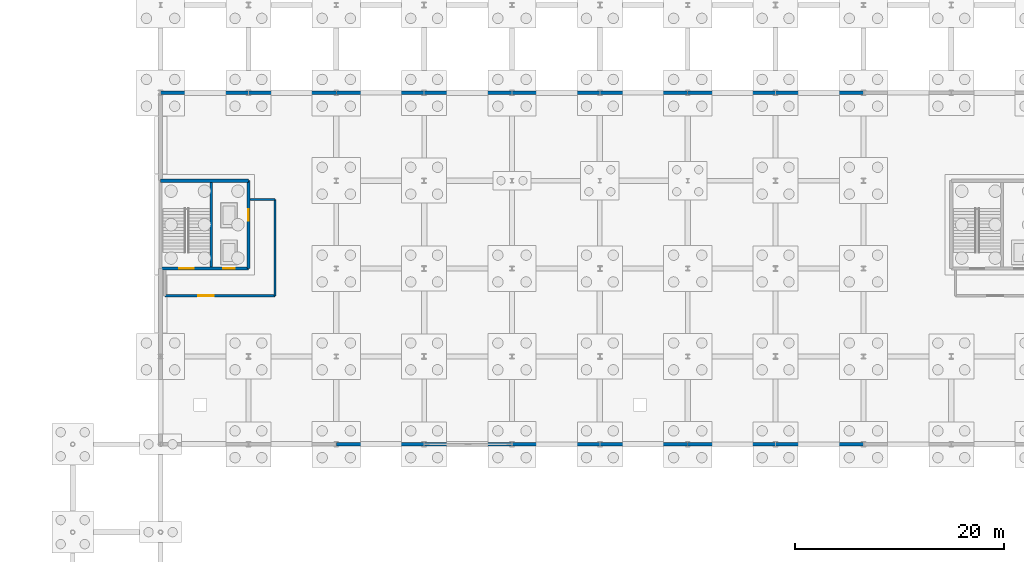
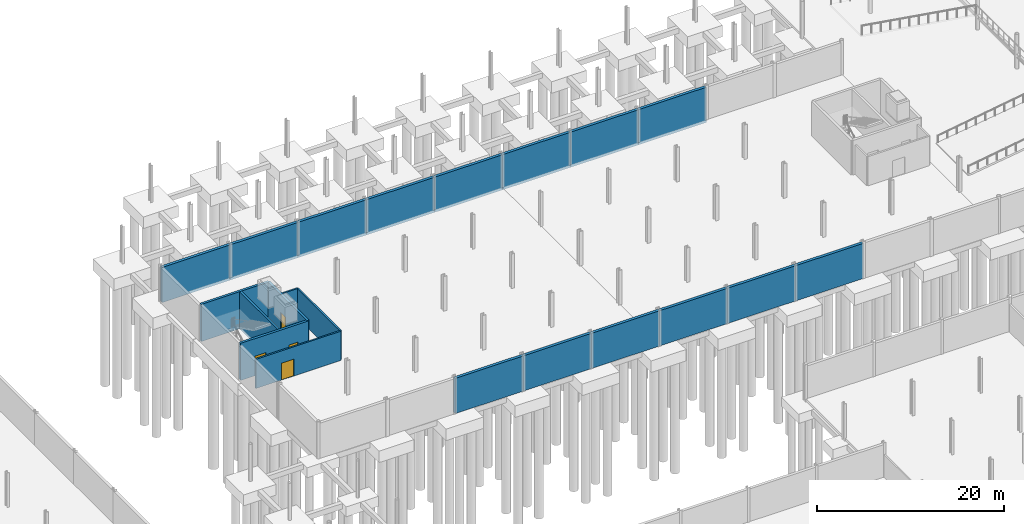
# One storey, part 36 of 51: 21 walls, 4 doors, 4 openings.
"""IFC4 building model written with IfcOpenShell, lengths in metres."""

import ifcopenshell
import ifcopenshell.guid

model = None  # the IFC model being written
_history = None  # IfcOwnerHistory: only IFC2X3 demands one
_inside = {}  # id of a spatial element -> (the spatial element, [elements in it])
_under = {}  # id of a project, library or spatial element -> (it, [spatial elements below it])
_declared = {}  # id of a project -> (the project, [libraries it declares])
_typed = {}  # id of a type object -> (the type object, [elements of that type])
_made_of = {}  # id of a material, layer set ... -> (it, [elements and type objects made of it])


def new_model(schema):
    """Start an empty IFC model of exactly this schema.

    Asked for "IFC4X3", IfcOpenShell would pick the latest addendum, in which some entities
    have other attributes; the version numbers below select the first issue.
    IFC2X3 requires an IfcOwnerHistory on every rooted entity: one is made here for all.
    """
    global model, _history
    if schema == "IFC4X3":
        model = ifcopenshell.file(schema_version=(4, 3, 0, 0))
    else:
        model = ifcopenshell.file(schema=schema)
    _inside.clear()
    _under.clear()
    _declared.clear()
    _typed.clear()
    _made_of.clear()
    _history = None
    if model.schema == "IFC2X3":
        org = make("IfcOrganization", Name="unknown")
        user = make(
            "IfcPersonAndOrganization",
            ThePerson=make("IfcPerson", FamilyName="unknown"),
            TheOrganization=org,
        )
        app = make(
            "IfcApplication",
            ApplicationDeveloper=org,
            Version="unknown",
            ApplicationFullName="unknown",
            ApplicationIdentifier="unknown",
        )
        _history = make(
            "IfcOwnerHistory",
            OwningUser=user,
            OwningApplication=app,
            ChangeAction="ADDED",
            CreationDate=0,
        )
    return model


def make(cls, **values):
    """One entity of the class cls with the attributes given. An attribute that is None is left unset."""
    return model.create_entity(
        cls, **{name: value for name, value in values.items() if value is not None}
    )


def rooted(cls, **values):
    """An entity with a GlobalId (a new one), such as an element, a storey or a relation."""
    return make(cls, GlobalId=ifcopenshell.guid.new(), OwnerHistory=_history, **values)


def si_unit(unit_type, name, prefix=None):
    """IfcSIUnit, for example si_unit("LENGTHUNIT", "METRE", prefix="MILLI")."""
    return make("IfcSIUnit", UnitType=unit_type, Prefix=prefix, Name=name)


def assignment(units):
    """IfcUnitAssignment: the units of a project."""
    return None if units is None else make("IfcUnitAssignment", Units=units)


def point(xyz):
    """IfcCartesianPoint."""
    return None if xyz is None else make("IfcCartesianPoint", Coordinates=xyz)


def direction(xyz):
    """IfcDirection."""
    return None if xyz is None else make("IfcDirection", DirectionRatios=xyz)


def frame(location, z_axis=None, x_axis=None):
    """IfcAxis2Placement3D, a coordinate frame: its origin and axes. An axis left out is left unset."""
    return make(
        "IfcAxis2Placement3D",
        Location=point(location),
        Axis=direction(z_axis),
        RefDirection=direction(x_axis),
    )


def frame_2d(location, x_axis=None):
    """IfcAxis2Placement2D, a coordinate frame in the plane: its origin and x axis."""
    return make(
        "IfcAxis2Placement2D", Location=point(location), RefDirection=direction(x_axis)
    )


def origin():
    """The frame at (0, 0, 0) with its axes left unset."""
    return frame((0.0, 0.0, 0.0))


def place(relative_to, where):
    """IfcLocalPlacement: puts the frame where relative to a parent placement (None: the world)."""
    return make(
        "IfcLocalPlacement", PlacementRelTo=relative_to, RelativePlacement=where
    )


def context(
    kind, dimensions, precision=None, world=None, true_north=None, identifier=None
):
    """IfcGeometricRepresentationContext, for example the 3D "Model" context."""
    return make(
        "IfcGeometricRepresentationContext",
        ContextIdentifier=identifier,
        ContextType=kind,
        CoordinateSpaceDimension=dimensions,
        Precision=precision,
        WorldCoordinateSystem=world,
        TrueNorth=true_north,
    )


def subcontext(parent, identifier, kind, view, scale=None):
    """IfcGeometricRepresentationSubContext, for example "Body" below "Model"."""
    return make(
        "IfcGeometricRepresentationSubContext",
        ContextIdentifier=identifier,
        ContextType=kind,
        ParentContext=parent,
        TargetScale=scale,
        TargetView=view,
    )


def project(units=None, contexts=None):
    """IfcProject with its units and contexts."""
    return rooted(
        "IfcProject",
        Name="project",
        RepresentationContexts=contexts,
        UnitsInContext=assignment(units),
    )


def spatial(cls, under=None, at=None, **own):
    """A site, building, storey or space (cls), placed at a placement, below another one or the project."""
    s = rooted(cls, ObjectPlacement=at, **own)
    if under is not None:
        _under.setdefault(under.id(), (under, []))[1].append(s)
    return s


def profile(cls, at=None, kind="AREA", **sizes):
    """A parametric profile (cls). Its sizes go by their IFC names, for example OverallWidth=200.0."""
    return make(cls, ProfileType=kind, Position=at, **sizes)


def rectangle(**sizes):
    """IfcRectangleProfileDef."""
    return profile("IfcRectangleProfileDef", **sizes)


def extrude(swept, where, along, depth):
    """IfcExtrudedAreaSolid: the profile swept, set in the frame where, extruded along a direction by depth."""
    return make(
        "IfcExtrudedAreaSolid",
        SweptArea=swept,
        Position=where,
        ExtrudedDirection=direction(along),
        Depth=depth,
    )


def shape(context_of_items, identifier, shape_type, items):
    """IfcShapeRepresentation: the items that make up one representation, for example the "Body"."""
    return make(
        "IfcShapeRepresentation",
        ContextOfItems=context_of_items,
        RepresentationIdentifier=identifier,
        RepresentationType=shape_type,
        Items=items,
    )


def material(Name=None, Category=None):
    """IfcMaterial."""
    return make("IfcMaterial", Name=Name, Category=Category)


def layer(
    of_material, thickness, ventilated=None, Name=None, Category=None, Priority=None
):
    """IfcMaterialLayer: one layer of a wall or slab, of a material (None: an air gap)."""
    return make(
        "IfcMaterialLayer",
        Material=of_material,
        LayerThickness=thickness,
        IsVentilated=ventilated,
        Name=Name,
        Category=Category,
        Priority=Priority,
    )


def layer_set(layers, Name=None):
    """IfcMaterialLayerSet."""
    return make("IfcMaterialLayerSet", MaterialLayers=layers, LayerSetName=Name)


def made_of(thing, what):
    """Note that an element or type object is made of a material, layer set ...; save() writes the relation."""
    if what is not None:
        _made_of.setdefault(what.id(), (what, []))[1].append(thing)
    return thing


def type_object(cls, material=None, **own):
    """A type object (cls), such as IfcWallType, which elements share."""
    return made_of(rooted(cls, **own), material)


def element(
    cls,
    number,
    at=None,
    inside=None,
    cuts=None,
    type_object=None,
    material=None,
    context=None,
    identifier="Body",
    shape_type=None,
    held_by="IfcProductDefinitionShape",
    body=None,
    shapes=None,
    **own,
):
    """One element of the class cls, such as IfcWall. Its Tag is "e" and its number.

    at: its placement. inside: the storey or other place that contains it. cuts: it is an
    opening in that element (IfcRelVoidsElement). A single representation is given by context,
    identifier, shape_type and body (its items); several are given by shapes. held_by: the class
    of the entity that holds the representations. save() writes the other relations.
    """
    e = rooted(cls, Tag="e%d" % number, ObjectPlacement=at, **own)
    if body is not None:
        shapes = [shape(context, identifier, shape_type, body)]
    if shapes is not None:
        e.Representation = make(held_by, Representations=shapes)
    if inside is not None:
        _inside.setdefault(inside.id(), (inside, []))[1].append(e)
    if cuts is not None:
        rooted(
            "IfcRelVoidsElement", RelatingBuildingElement=cuts, RelatedOpeningElement=e
        )
    if type_object is not None:
        _typed.setdefault(type_object.id(), (type_object, []))[1].append(e)
    return made_of(e, material)


def fill(opening, filler):
    """IfcRelFillsElement: the door or window that sits in an opening."""
    return rooted(
        "IfcRelFillsElement",
        RelatingOpeningElement=opening,
        RelatedBuildingElement=filler,
    )


def aggregate(whole, parts):
    """IfcRelAggregates: a whole, such as a stair, and the parts it consists of."""
    return rooted("IfcRelAggregates", RelatingObject=whole, RelatedObjects=parts)


def save(model, path):
    """Write the relations noted so far, then the file.

    IfcRelAggregates (storeys below a building ...), IfcRelContainedInSpatialStructure (elements
    in a storey), IfcRelDefinesByType, IfcRelAssociatesMaterial and IfcRelDeclares: one each for
    every whole, place, type object, material and project.
    """
    for whole, parts in _under.values():
        aggregate(whole, parts)
    for where, things in _inside.values():
        rooted(
            "IfcRelContainedInSpatialStructure",
            RelatedElements=things,
            RelatingStructure=where,
        )
    for kind, things in _typed.values():
        rooted("IfcRelDefinesByType", RelatedObjects=things, RelatingType=kind)
    for what, things in _made_of.values():
        rooted("IfcRelAssociatesMaterial", RelatedObjects=things, RelatingMaterial=what)
    for by, libraries in _declared.values():
        rooted("IfcRelDeclares", RelatingContext=by, RelatedDefinitions=libraries)
    model.write(path)


model = new_model("IFC4")

# Units and contexts
model_context = context("Model", 3, precision=1e-05, world=origin(), true_north=direction((0.0, 1.0)))
body_context = subcontext(model_context, "Body", "Model", "MODEL_VIEW")
ifc_project = project(units=[si_unit("LENGTHUNIT", "METRE"), si_unit("AREAUNIT", "SQUARE_METRE"), si_unit("VOLUMEUNIT", "CUBIC_METRE"), si_unit("PLANEANGLEUNIT", "RADIAN"), si_unit("MASSUNIT", "GRAM", prefix="KILO")], contexts=[model_context])

# Site, building, storey
site_placement = place(None, origin())
site = spatial("IfcSite", under=ifc_project, at=site_placement, CompositionType="ELEMENT")
building_placement = place(site_placement, origin())
building = spatial("IfcBuilding", under=site, at=building_placement, Name="Qalvenar Corner Mobility Hub", CompositionType="ELEMENT")
storey_placement = place(building_placement, frame((0.0, 0.0, -4.5)))
storey = spatial("IfcBuildingStorey", under=building, at=storey_placement, Name="B1", CompositionType="ELEMENT", Elevation=-4.5)

# Wall
ifc_material_1 = material(Name="Concrete C40/50", Category="concrete")
ifc_layer_1 = layer(ifc_material_1, 0.25)
ifc_layer_set_1 = layer_set([ifc_layer_1], Name="Concrete C40/50")
wall_type_1 = type_object("IfcWallType", Name="WL-CORE250", PredefinedType="SHEAR", material=ifc_layer_set_1)
wall_1_placement = place(storey_placement, frame((63.64990234375, 84.14990234375, -0.35009765625), z_axis=(0.0, 0.0, 1.0), x_axis=(0.0, 1.0, 0.0)))
element("IfcWall", 1, at=wall_1_placement, inside=storey, type_object=wall_type_1, Name="Core Divider Wall C3-B1", PredefinedType="SHEAR", context=body_context, shape_type="SweptSolid", body=[
    extrude(rectangle(XDim=8.10009765625, YDim=0.25, at=frame_2d((4.050048828125, 0.0))), origin(), (0.0, 0.0, 1.0), 4.85009765625),
])

# Wall, openings, doors
ifc_layer_2 = layer(ifc_material_1, 0.300048828125)
ifc_layer_set_2 = layer_set([ifc_layer_2], Name="Concrete C40/50")
wall_type_2 = type_object("IfcWallType", Name="WL-CORE300", PredefinedType="SHEAR", material=ifc_layer_set_2)
wall_2_placement = place(storey_placement, frame((58.800048828125, 84.0, -0.35009765625), z_axis=(0.0, 0.0, 1.0), x_axis=(1.0, 0.0, 0.0)))
wall_2 = element("IfcWall", 2, at=wall_2_placement, inside=storey, type_object=wall_type_2, Name="Core Shear Wall C3-B1-S", PredefinedType="SHEAR", context=body_context, shape_type="SweptSolid", body=[
    extrude(rectangle(XDim=8.39990234375, YDim=0.300048828125, at=frame_2d((4.199951171875, 0.0))), origin(), (0.0, 0.0, 1.0), 4.85009765625),
])
opening_1_placement = place(wall_2_placement, frame((1.800048828125, 0.0, 0.35009765625)))
opening_1 = element("IfcOpeningElement", 3, at=opening_1_placement, cuts=wall_2, Name="Opening DR-008", PredefinedType="OPENING", context=body_context, shape_type="SweptSolid", body=[
    extrude(rectangle(XDim=1.35009765625, YDim=2.199951171875, at=frame_2d((0.675048828125, 1.10009765625))), frame((0.0, 0.16015625, 0.0), z_axis=(0.0, -1.0, 0.0), x_axis=(1.0, 0.0, 0.0)), (0.0, 0.0, 1.0), 0.320068359375),
])
opening_2_placement = place(wall_2_placement, frame((6.0, 0.0, 0.35009765625)))
opening_2 = element("IfcOpeningElement", 4, at=opening_2_placement, cuts=wall_2, Name="Opening DR-009", PredefinedType="OPENING", context=body_context, shape_type="SweptSolid", body=[
    extrude(rectangle(XDim=1.10009765625, YDim=2.199951171875, at=frame_2d((0.550048828125, 1.10009765625))), frame((0.0, 0.16015625, 0.0), z_axis=(0.0, -1.0, 0.0), x_axis=(1.0, 0.0, 0.0)), (0.0, 0.0, 1.0), 0.320068359375),
])
ifc_material_2 = material(Name="Stainless Steel Lift Landing Door", Category="steel")
door_type_1 = type_object("IfcDoorType", Name="DR-LIFT-110", OperationType="SLIDING_TO_LEFT", PredefinedType="DOOR", material=ifc_material_2)
door_1_placement = place(opening_2_placement, origin())
door_1 = element("IfcDoor", 5, at=door_1_placement, inside=storey, type_object=door_type_1, Name="DR-009 Lift Landing Door LP2-B1", OperationType="SLIDING_TO_LEFT", OverallHeight=2.199951171875, OverallWidth=1.10009765625, PredefinedType="DOOR", context=body_context, shape_type="SweptSolid", body=[
    extrude(rectangle(XDim=1.10009765625, YDim=2.199951171875, at=frame_2d((0.550048828125, 1.10009765625))), frame((0.0, 0.02490234375, 0.0), z_axis=(0.0, -1.0, 0.0), x_axis=(1.0, 0.0, 0.0)), (0.0, 0.0, 1.0), 0.050048828125),
])
fill(opening_2, door_1)
ifc_material_3 = material(Name="Fire-Rated Steel Stair Door FD90", Category="steel")
door_type_2 = type_object("IfcDoorType", Name="DR-STAIR-135", OperationType="NOTDEFINED", PredefinedType="DOOR", material=ifc_material_3)
door_2_placement = place(opening_1_placement, origin())
door_2 = element("IfcDoor", 6, at=door_2_placement, inside=storey, type_object=door_type_2, Name="DR-008 Stair Fire Door ST3-B1", OperationType="SINGLE_SWING_LEFT", OverallHeight=2.199951171875, OverallWidth=1.35009765625, PredefinedType="DOOR", context=body_context, shape_type="SweptSolid", body=[
    extrude(rectangle(XDim=1.35009765625, YDim=2.199951171875, at=frame_2d((0.675048828125, 1.10009765625))), frame((0.0, 0.02490234375, 0.0), z_axis=(0.0, -1.0, 0.0), x_axis=(1.0, 0.0, 0.0)), (0.0, 0.0, 1.0), 0.050048828125),
])
fill(opening_1, door_2)

# Wall, opening, door
wall_3_placement = place(storey_placement, frame((67.199951171875, 84.0, -0.35009765625), z_axis=(0.0, 0.0, 1.0), x_axis=(0.0, 1.0, 0.0)))
wall_3 = element("IfcWall", 7, at=wall_3_placement, inside=storey, type_object=wall_type_2, Name="Core Shear Wall C3-B1-E", PredefinedType="SHEAR", context=body_context, shape_type="SweptSolid", body=[
    extrude(rectangle(XDim=8.39990234375, YDim=0.300048828125, at=frame_2d((4.199951171875, 0.0))), origin(), (0.0, 0.0, 1.0), 4.85009765625),
])
opening_3_placement = place(wall_3_placement, frame((4.550048828125, 0.0, 0.35009765625)))
opening_3 = element("IfcOpeningElement", 8, at=opening_3_placement, cuts=wall_3, Name="Opening DR-010", PredefinedType="OPENING", context=body_context, shape_type="SweptSolid", body=[
    extrude(rectangle(XDim=1.10009765625, YDim=2.199951171875, at=frame_2d((0.550048828125, 1.10009765625))), frame((0.0, 0.16015625, 0.0), z_axis=(0.0, -1.0, 0.0), x_axis=(1.0, 0.0, 0.0)), (0.0, 0.0, 1.0), 0.320068359375),
])
door_3_placement = place(opening_3_placement, origin())
door_3 = element("IfcDoor", 9, at=door_3_placement, inside=storey, type_object=door_type_1, Name="DR-010 Lift Landing Door LP3-B1", OperationType="SLIDING_TO_RIGHT", OverallHeight=2.199951171875, OverallWidth=1.10009765625, PredefinedType="DOOR", context=body_context, shape_type="SweptSolid", body=[
    extrude(rectangle(XDim=1.10009765625, YDim=2.199951171875, at=frame_2d((0.550048828125, 1.10009765625))), frame((0.0, 0.02490234375, 0.0), z_axis=(0.0, -1.0, 0.0), x_axis=(1.0, 0.0, 0.0)), (0.0, 0.0, 1.0), 0.050048828125),
])
fill(opening_3, door_3)

# Wall
wall_4_placement = place(storey_placement, frame((67.199951171875, 92.39990234375, -0.35009765625), z_axis=(0.0, 0.0, 1.0), x_axis=(-1.0, 0.0, 0.0)))
element("IfcWall", 10, at=wall_4_placement, inside=storey, type_object=wall_type_2, Name="Core Shear Wall C3-B1-N", PredefinedType="SHEAR", context=body_context, shape_type="SweptSolid", body=[
    extrude(rectangle(XDim=8.39990234375, YDim=0.300048828125, at=frame_2d((4.199951171875, 0.0))), origin(), (0.0, 0.0, 1.0), 4.85009765625),
])

# Wall, opening, door
ifc_material_4 = material(Name="Concrete Blockwork Masonry", Category="masonry")
ifc_layer_3 = layer(ifc_material_4, 0.199951171875)
ifc_layer_set_3 = layer_set([ifc_layer_3], Name="Concrete Blockwork Masonry")
wall_type_3 = type_object("IfcWallType", Name="WL-LOBBY200", PredefinedType="PARTITIONING", material=ifc_layer_set_3)
wall_5_placement = place(storey_placement, frame((59.199951171875, 81.39990234375, 0.0), z_axis=(0.0, 0.0, 1.0), x_axis=(1.0, 0.0, 0.0)))
wall_5 = element("IfcWall", 11, at=wall_5_placement, inside=storey, type_object=wall_type_3, Name="Interior Partition WL-LOB-C3-B1-S", PredefinedType="PARTITIONING", context=body_context, shape_type="SweptSolid", body=[
    extrude(rectangle(XDim=10.550048828125, YDim=0.199951171875, at=frame_2d((5.27490234375, 0.0))), origin(), (0.0, 0.0, 1.0), 3.820068359375),
])
opening_4_placement = place(wall_5_placement, frame((3.199951171875, 0.0, 0.0)))
opening_4 = element("IfcOpeningElement", 12, at=opening_4_placement, cuts=wall_5, Name="Opening DR-011", PredefinedType="OPENING", context=body_context, shape_type="SweptSolid", body=[
    extrude(rectangle(XDim=1.5, YDim=2.199951171875, at=frame_2d((0.75, 1.10009765625))), frame((0.0, 0.10986328125, 0.0), z_axis=(0.0, -1.0, 0.0), x_axis=(1.0, 0.0, 0.0)), (0.0, 0.0, 1.0), 0.219970703125),
])
ifc_material_5 = material(Name="Firefighting Lobby Smoke-Control Door FD60", Category="steel")
door_type_3 = type_object("IfcDoorType", Name="DR-FFLOB-150", OperationType="DOUBLE_DOOR_SINGLE_SWING", PredefinedType="DOOR", material=ifc_material_5)
door_4_placement = place(opening_4_placement, origin())
door_4 = element("IfcDoor", 13, at=door_4_placement, inside=storey, type_object=door_type_3, Name="DR-011 Lift Lobby Smoke Door C3-B1", OperationType="DOUBLE_DOOR_SINGLE_SWING", OverallHeight=2.199951171875, OverallWidth=1.5, PredefinedType="DOOR", context=body_context, shape_type="SweptSolid", body=[
    extrude(rectangle(XDim=1.5, YDim=2.199951171875, at=frame_2d((0.75, 1.10009765625))), frame((0.0, 0.02490234375, 0.0), z_axis=(0.0, -1.0, 0.0), x_axis=(1.0, 0.0, 0.0)), (0.0, 0.0, 1.0), 0.050048828125),
])
fill(opening_4, door_4)

# Walls
wall_6_placement = place(storey_placement, frame((69.75, 81.39990234375, 0.0), z_axis=(0.0, 0.0, 1.0), x_axis=(0.0, 1.0, 0.0)))
element("IfcWall", 14, at=wall_6_placement, inside=storey, type_object=wall_type_3, Name="Interior Partition WL-LOB-C3-B1-E", PredefinedType="PARTITIONING", context=body_context, shape_type="SweptSolid", body=[
    extrude(rectangle(XDim=9.2001953125, YDim=0.199951171875, at=frame_2d((4.60009765625, 0.0))), origin(), (0.0, 0.0, 1.0), 3.820068359375),
])
wall_7_placement = place(storey_placement, frame((67.360107421875, 90.60009765625, 0.0), z_axis=(0.0, 0.0, 1.0), x_axis=(1.0, 0.0, 0.0)))
element("IfcWall", 15, at=wall_7_placement, inside=storey, type_object=wall_type_3, Name="Interior Partition WL-LOB-C3-B1-N", PredefinedType="PARTITIONING", context=body_context, shape_type="SweptSolid", body=[
    extrude(rectangle(XDim=2.389892578125, YDim=0.199951171875, at=frame_2d((1.19482421875, 0.0))), origin(), (0.0, 0.0, 1.0), 3.820068359375),
])
ifc_layer_4 = layer(ifc_material_1, 0.35009765625)
ifc_layer_set_4 = layer_set([ifc_layer_4], Name="Concrete C40/50")
wall_type_4 = type_object("IfcWallType", Name="WL-RET350", PredefinedType="SOLIDWALL", material=ifc_layer_set_4)
for number, where, z_axis, x_axis, name in (
    (16, (75.60009765625, 67.199951171875, -0.35009765625), (0.0, 0.0, 1.0), (1.0, 0.0, 0.0), "Basement Retaining Wall BW-065"),
    (17, (84.0, 67.199951171875, -0.35009765625), (0.0, 0.0, 1.0), (1.0, 0.0, 0.0), "Basement Retaining Wall BW-066"),
):
    element("IfcWall", number, at=place(storey_placement, frame(where, z_axis=z_axis, x_axis=x_axis)), inside=storey, type_object=wall_type_4, Name=name, PredefinedType="SOLIDWALL", context=body_context, shape_type="SweptSolid", body=[
        extrude(rectangle(XDim=8.39990234375, YDim=0.35009765625, at=frame_2d((4.199951171875, 0.0))), origin(), (0.0, 0.0, 1.0), 4.60009765625),
    ])
wall_8_placement = place(storey_placement, frame((92.39990234375, 67.199951171875, -0.35009765625), z_axis=(0.0, 0.0, 1.0), x_axis=(1.0, 0.0, 0.0)))
element("IfcWall", 18, at=wall_8_placement, inside=storey, type_object=wall_type_4, Name="Basement Retaining Wall BW-067", PredefinedType="SOLIDWALL", context=body_context, shape_type="SweptSolid", body=[
    extrude(rectangle(XDim=8.400146484375, YDim=0.35009765625, at=frame_2d((4.2001953125, 0.0))), origin(), (0.0, 0.0, 1.0), 4.60009765625),
])
wall_9_placement = place(storey_placement, frame((100.800048828125, 67.199951171875, -0.35009765625), z_axis=(0.0, 0.0, 1.0), x_axis=(1.0, 0.0, 0.0)))
element("IfcWall", 19, at=wall_9_placement, inside=storey, type_object=wall_type_4, Name="Basement Retaining Wall BW-068", PredefinedType="SOLIDWALL", context=body_context, shape_type="SweptSolid", body=[
    extrude(rectangle(XDim=8.39990234375, YDim=0.35009765625, at=frame_2d((4.199951171875, 0.0))), origin(), (0.0, 0.0, 1.0), 4.60009765625),
])
wall_10_placement = place(storey_placement, frame((109.199951171875, 67.199951171875, -0.35009765625), z_axis=(0.0, 0.0, 1.0), x_axis=(1.0, 0.0, 0.0)))
element("IfcWall", 20, at=wall_10_placement, inside=storey, type_object=wall_type_4, Name="Basement Retaining Wall BW-069", PredefinedType="SOLIDWALL", context=body_context, shape_type="SweptSolid", body=[
    extrude(rectangle(XDim=8.400146484375, YDim=0.35009765625, at=frame_2d((4.2001953125, 0.0))), origin(), (0.0, 0.0, 1.0), 4.60009765625),
])
for number, where, z_axis, x_axis, name in (
    (21, (117.60009765625, 67.199951171875, -0.35009765625), (0.0, 0.0, 1.0), (1.0, 0.0, 0.0), "Basement Retaining Wall BW-070"),
    (22, (58.800048828125, 100.800048828125, -0.35009765625), (0.0, 0.0, 1.0), (1.0, 0.0, 0.0), "Basement Retaining Wall BW-078"),
):
    element("IfcWall", number, at=place(storey_placement, frame(where, z_axis=z_axis, x_axis=x_axis)), inside=storey, type_object=wall_type_4, Name=name, PredefinedType="SOLIDWALL", context=body_context, shape_type="SweptSolid", body=[
        extrude(rectangle(XDim=8.39990234375, YDim=0.35009765625, at=frame_2d((4.199951171875, 0.0))), origin(), (0.0, 0.0, 1.0), 4.60009765625),
    ])
wall_11_placement = place(storey_placement, frame((67.199951171875, 100.800048828125, -0.35009765625), z_axis=(0.0, 0.0, 1.0), x_axis=(1.0, 0.0, 0.0)))
element("IfcWall", 23, at=wall_11_placement, inside=storey, type_object=wall_type_4, Name="Basement Retaining Wall BW-079", PredefinedType="SOLIDWALL", context=body_context, shape_type="SweptSolid", body=[
    extrude(rectangle(XDim=8.400146484375, YDim=0.35009765625, at=frame_2d((4.2001953125, 0.0))), origin(), (0.0, 0.0, 1.0), 4.60009765625),
])
for number, where, z_axis, x_axis, name in (
    (24, (75.60009765625, 100.800048828125, -0.35009765625), (0.0, 0.0, 1.0), (1.0, 0.0, 0.0), "Basement Retaining Wall BW-080"),
    (25, (84.0, 100.800048828125, -0.35009765625), (0.0, 0.0, 1.0), (1.0, 0.0, 0.0), "Basement Retaining Wall BW-081"),
):
    element("IfcWall", number, at=place(storey_placement, frame(where, z_axis=z_axis, x_axis=x_axis)), inside=storey, type_object=wall_type_4, Name=name, PredefinedType="SOLIDWALL", context=body_context, shape_type="SweptSolid", body=[
        extrude(rectangle(XDim=8.39990234375, YDim=0.35009765625, at=frame_2d((4.199951171875, 0.0))), origin(), (0.0, 0.0, 1.0), 4.60009765625),
    ])
wall_12_placement = place(storey_placement, frame((92.39990234375, 100.800048828125, -0.35009765625), z_axis=(0.0, 0.0, 1.0), x_axis=(1.0, 0.0, 0.0)))
element("IfcWall", 26, at=wall_12_placement, inside=storey, type_object=wall_type_4, Name="Basement Retaining Wall BW-082", PredefinedType="SOLIDWALL", context=body_context, shape_type="SweptSolid", body=[
    extrude(rectangle(XDim=8.400146484375, YDim=0.35009765625, at=frame_2d((4.2001953125, 0.0))), origin(), (0.0, 0.0, 1.0), 4.60009765625),
])
wall_13_placement = place(storey_placement, frame((100.800048828125, 100.800048828125, -0.35009765625), z_axis=(0.0, 0.0, 1.0), x_axis=(1.0, 0.0, 0.0)))
element("IfcWall", 27, at=wall_13_placement, inside=storey, type_object=wall_type_4, Name="Basement Retaining Wall BW-083", PredefinedType="SOLIDWALL", context=body_context, shape_type="SweptSolid", body=[
    extrude(rectangle(XDim=8.39990234375, YDim=0.35009765625, at=frame_2d((4.199951171875, 0.0))), origin(), (0.0, 0.0, 1.0), 4.60009765625),
])
wall_14_placement = place(storey_placement, frame((109.199951171875, 100.800048828125, -0.35009765625), z_axis=(0.0, 0.0, 1.0), x_axis=(1.0, 0.0, 0.0)))
element("IfcWall", 28, at=wall_14_placement, inside=storey, type_object=wall_type_4, Name="Basement Retaining Wall BW-084", PredefinedType="SOLIDWALL", context=body_context, shape_type="SweptSolid", body=[
    extrude(rectangle(XDim=8.400146484375, YDim=0.35009765625, at=frame_2d((4.2001953125, 0.0))), origin(), (0.0, 0.0, 1.0), 4.60009765625),
])
wall_15_placement = place(storey_placement, frame((117.60009765625, 100.800048828125, -0.35009765625), z_axis=(0.0, 0.0, 1.0), x_axis=(1.0, 0.0, 0.0)))
element("IfcWall", 29, at=wall_15_placement, inside=storey, type_object=wall_type_4, Name="Basement Retaining Wall BW-085", PredefinedType="SOLIDWALL", context=body_context, shape_type="SweptSolid", body=[
    extrude(rectangle(XDim=8.39990234375, YDim=0.35009765625, at=frame_2d((4.199951171875, 0.0))), origin(), (0.0, 0.0, 1.0), 4.60009765625),
])

save(model, "model.ifc")
